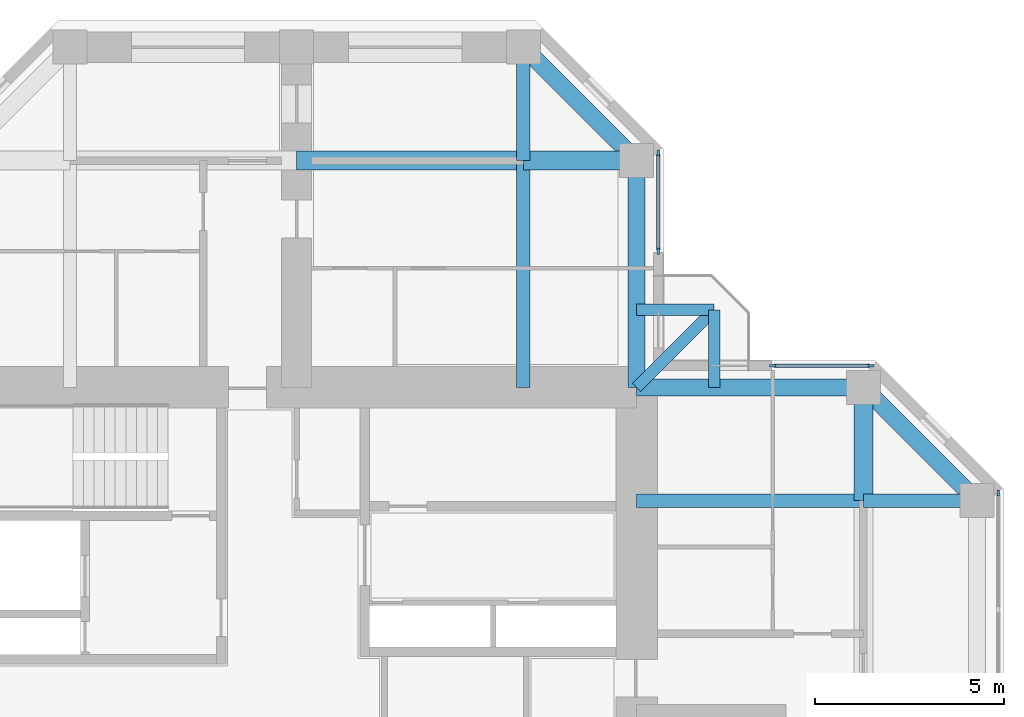
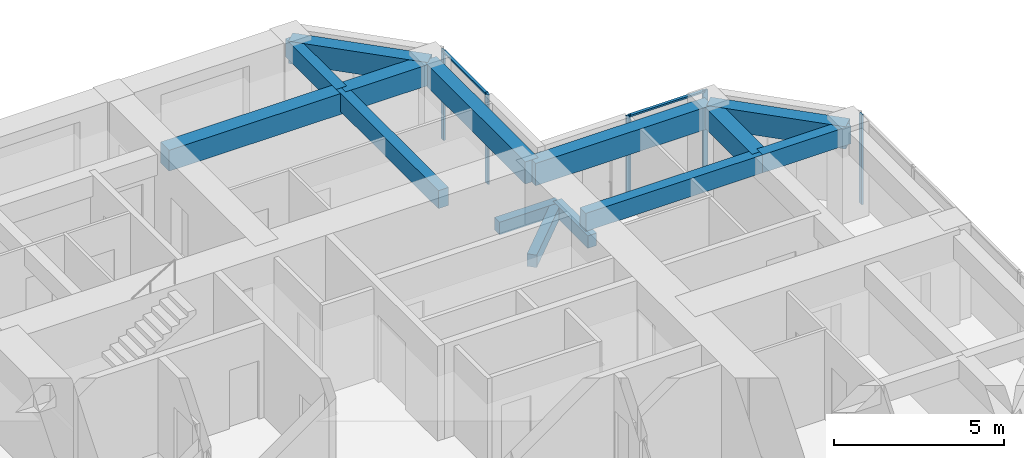
# One storey, part 6 of 14: 14 beams, 7 members, 3 elements without a shape of their own.
"""IFC4 building model written with IfcOpenShell, lengths in metres."""

from ifc_helpers import new_model, si_unit, direction, frame, origin, origin_2d, place, context, subcontext, project, spatial, rectangle, extrude, material, material_profile, profile_set, type_object, element, aggregate, save


model = new_model("IFC4")

# Units and contexts
model_context = context("Model", 3, precision=1e-05, world=origin(), true_north=direction((0.0, 1.0)))
body_context = subcontext(model_context, "Body", "Model", "MODEL_VIEW")
ifc_project = project(units=[si_unit("LENGTHUNIT", "METRE"), si_unit("AREAUNIT", "SQUARE_METRE"), si_unit("VOLUMEUNIT", "CUBIC_METRE"), si_unit("PLANEANGLEUNIT", "RADIAN"), si_unit("MASSUNIT", "GRAM", prefix="KILO")], contexts=[model_context])

# Site, building, storey
site_placement = place(None, origin())
site = spatial("IfcSite", under=ifc_project, at=site_placement, CompositionType="ELEMENT")
building_placement = place(site_placement, origin())
building = spatial("IfcBuilding", under=site, at=building_placement, Name="Torre Cruceta", CompositionType="ELEMENT")
storey_placement = place(building_placement, frame((0.0, 0.0, 186.5)))
storey = spatial("IfcBuildingStorey", under=building, at=storey_placement, Name="L46", CompositionType="ELEMENT", Elevation=186.5)

# Beams
ifc_material_1 = material(Name="Concrete G60 (fck 60 MPa)", Category="concrete")
ifc_material_profile_1 = material_profile(ifc_material_1, rectangle(XDim=0.300048828125, YDim=0.449951171875, at=origin_2d()), Name="RC 300X450")
ifc_profile_set_1 = profile_set([ifc_material_profile_1], Name="Concrete G60 (fck 60 MPa)")
beam_type_1 = type_object("IfcBeamType", Name="BALCONY CANTILEVER BEAM RC 300X450", PredefinedType="BEAM", material=ifc_profile_set_1)
beam_1_placement = place(storey_placement, frame((9.0, 9.0, -0.405029296875), z_axis=(0.707106781187, 0.707106781187, 0.0), x_axis=(-0.707106781187, 0.707106781187, 0.0)))
element("IfcBeam", 1, at=beam_1_placement, inside=storey, type_object=beam_type_1, Name="BB1 balcony beam L46 E", PredefinedType="BEAM", context=body_context, shape_type="SweptSolid", body=[
    extrude(rectangle(XDim=0.300048828125, YDim=0.449951171875, at=origin_2d()), origin(), (0.0, 0.0, 1.0), 2.89990234375),
])
for number, where, z_axis, x_axis, name in (
    (2, (11.050537109375, 9.0, -0.405029296875), (0.0, 1.0, 0.0), (-1.0, 0.0, 0.0), "BB1 balcony edge beam L46 E-X"),
    (3, (9.0, 11.050537109375, -0.405029296875), (1.0, 0.0, 0.0), (0.0, 1.0, 0.0), "BB1 balcony edge beam L46 E-Y"),
):
    element("IfcBeam", number, at=place(storey_placement, frame(where, z_axis=z_axis, x_axis=x_axis)), inside=storey, type_object=beam_type_1, Name=name, PredefinedType="BEAM", context=body_context, shape_type="SweptSolid", body=[
        extrude(rectangle(XDim=0.300048828125, YDim=0.449951171875, at=origin_2d()), origin(), (0.0, 0.0, 1.0), 2.050537109375),
    ])
ifc_material_2 = material(Name="Concrete G60 (fck 60 MPa)", Category="concrete")
ifc_material_profile_2 = material_profile(ifc_material_2, rectangle(XDim=0.35009765625, YDim=0.64990234375, at=origin_2d()), Name="RC 350X650")
ifc_profile_set_2 = profile_set([ifc_material_profile_2], Name="Concrete G60 (fck 60 MPa)")
beam_type_2 = type_object("IfcBeamType", Name="COLUMN LINE BEAM RC 350X650", PredefinedType="BEAM", material=ifc_profile_set_2)
beam_2_placement = place(storey_placement, frame((6.0, 9.0, 2.89501953125), z_axis=(0.0, 1.0, 0.0), x_axis=(-1.0, 0.0, 0.0)))
element("IfcBeam", 4, at=beam_2_placement, inside=storey, type_object=beam_type_2, Name="LB7 L46 N col- 1", PredefinedType="BEAM", context=body_context, shape_type="SweptSolid", body=[
    extrude(rectangle(XDim=0.35009765625, YDim=0.64990234375, at=origin_2d()), origin(), (0.0, 0.0, 1.0), 6.0),
])
beam_3_placement = place(storey_placement, frame((6.0, 15.0, 2.89501953125), z_axis=(0.0, 1.0, 0.0), x_axis=(-1.0, 0.0, 0.0)))
element("IfcBeam", 5, at=beam_3_placement, inside=storey, type_object=beam_type_2, Name="LB7 L46 N col- 2", PredefinedType="BEAM", context=body_context, shape_type="SweptSolid", body=[
    extrude(rectangle(XDim=0.35009765625, YDim=0.64990234375, at=origin_2d()), origin(), (0.0, 0.0, 1.0), 3.0),
])
beam_4_placement = place(storey_placement, frame((9.0, 6.0, 2.89501953125), z_axis=(1.0, 0.0, 0.0), x_axis=(0.0, 1.0, 0.0)))
element("IfcBeam", 6, at=beam_4_placement, inside=storey, type_object=beam_type_2, Name="LB7 L46 E col+ 1", PredefinedType="BEAM", context=body_context, shape_type="SweptSolid", body=[
    extrude(rectangle(XDim=0.35009765625, YDim=0.64990234375, at=origin_2d()), origin(), (0.0, 0.0, 1.0), 6.0),
])
beam_5_placement = place(storey_placement, frame((15.0, 6.0, 2.89501953125), z_axis=(1.0, 0.0, 0.0), x_axis=(0.0, 1.0, 0.0)))
element("IfcBeam", 7, at=beam_5_placement, inside=storey, type_object=beam_type_2, Name="LB7 L46 E col+ 2", PredefinedType="BEAM", context=body_context, shape_type="SweptSolid", body=[
    extrude(rectangle(XDim=0.35009765625, YDim=0.64990234375, at=origin_2d()), origin(), (0.0, 0.0, 1.0), 3.0),
])
ifc_material_3 = material(Name="Concrete G60 (fck 60 MPa)", Category="concrete")
ifc_material_profile_3 = material_profile(ifc_material_3, rectangle(XDim=0.5, YDim=0.75, at=origin_2d()), Name="RC 500X750")
ifc_profile_set_3 = profile_set([ifc_material_profile_3], Name="Concrete G60 (fck 60 MPa)")
beam_type_3 = type_object("IfcBeamType", Name="CROSS BEAM RC 500X750", PredefinedType="BEAM", material=ifc_profile_set_3)
beam_6_placement = place(storey_placement, frame((9.0, 15.0, 2.844970703125), z_axis=(-1.0, 0.0, 0.0), x_axis=(0.0, -1.0, 0.0)))
element("IfcBeam", 8, at=beam_6_placement, inside=storey, type_object=beam_type_3, Name="GB6 L46 N cross15 1", PredefinedType="BEAM", context=body_context, shape_type="SweptSolid", body=[
    extrude(rectangle(XDim=0.5, YDim=0.75, at=origin_2d()), origin(), (0.0, 0.0, 1.0), 3.0),
])
beam_7_placement = place(storey_placement, frame((6.0, 15.0, 2.844970703125), z_axis=(-1.0, 0.0, 0.0), x_axis=(0.0, -1.0, 0.0)))
element("IfcBeam", 9, at=beam_7_placement, inside=storey, type_object=beam_type_3, Name="GB6 L46 N cross15 2", PredefinedType="BEAM", context=body_context, shape_type="SweptSolid", body=[
    extrude(rectangle(XDim=0.5, YDim=0.75, at=origin_2d()), origin(), (0.0, 0.0, 1.0), 6.0),
])
beam_8_placement = place(storey_placement, frame((15.0, 6.0, 2.844970703125), z_axis=(0.0, 1.0, 0.0), x_axis=(-1.0, 0.0, 0.0)))
element("IfcBeam", 10, at=beam_8_placement, inside=storey, type_object=beam_type_3, Name="GB6 L46 E cross15 4", PredefinedType="BEAM", context=body_context, shape_type="SweptSolid", body=[
    extrude(rectangle(XDim=0.5, YDim=0.75, at=origin_2d()), origin(), (0.0, 0.0, 1.0), 3.0),
])

# Curtain wall, member
ifc_material_4 = material(Name="Aluminium unitised curtain wall", Category="aluminium")
curtain_wall_type = type_object("IfcCurtainWallType", Name="CURTAIN WALL CW-C CO-LIVING", PredefinedType="USERDEFINED", material=ifc_material_4)
curtain_wall_1_placement = place(storey_placement, origin())
curtain_wall_1 = element("IfcCurtainWall", 11, at=curtain_wall_1_placement, inside=storey, type_object=curtain_wall_type, Name="CW-C L46 E tip 02", ObjectType="UNITISED", PredefinedType="USERDEFINED")
ifc_material_5 = material(Name="Aluminium mullion", Category="aluminium")
ifc_material_profile_4 = material_profile(ifc_material_5, rectangle(XDim=0.06005859375, YDim=0.159912109375, at=origin_2d()), Name="AL 60X160")
ifc_profile_set_4 = profile_set([ifc_material_profile_4], Name="Aluminium mullion")
member_type_1 = type_object("IfcMemberType", Name="CW-C MULLION 60X160", PredefinedType="MULLION", material=ifc_profile_set_4)
member_1_placement = place(storey_placement, frame((18.570068359375, 6.2060546875, 0.0), z_axis=(0.0, 0.0, 1.0), x_axis=(-1.0, 0.0, 0.0)))
member_1 = element("IfcMember", 12, at=member_1_placement, type_object=member_type_1, Name="CW-C mullion 5", PredefinedType="MULLION", context=body_context, shape_type="SweptSolid", body=[
    extrude(rectangle(XDim=0.06005859375, YDim=0.159912109375, at=origin_2d()), origin(), (0.0, 0.0, 1.0), 3.219970703125),
])
aggregate(curtain_wall_1, [member_1])

# Curtain wall, members
curtain_wall_2_placement = place(storey_placement, origin())
curtain_wall_2 = element("IfcCurtainWall", 13, at=curtain_wall_2_placement, inside=storey, type_object=curtain_wall_type, Name="CW-C L46 E side 04", ObjectType="UNITISED", PredefinedType="USERDEFINED")
member_2_placement = place(storey_placement, frame((15.2060546875, 9.570068359375, 0.0), z_axis=(0.0, 0.0, 1.0), x_axis=(0.0, -1.0, 0.0)))
member_2 = element("IfcMember", 14, at=member_2_placement, type_object=member_type_1, Name="CW-C mullion 1", PredefinedType="MULLION", context=body_context, shape_type="SweptSolid", body=[
    extrude(rectangle(XDim=0.06005859375, YDim=0.159912109375, at=origin_2d()), origin(), (0.0, 0.0, 1.0), 3.219970703125),
])
member_3_placement = place(storey_placement, frame((12.60009765625, 9.570068359375, 0.0), z_axis=(0.0, 0.0, 1.0), x_axis=(0.0, -1.0, 0.0)))
member_3 = element("IfcMember", 15, at=member_3_placement, type_object=member_type_1, Name="CW-C mullion 2", PredefinedType="MULLION", context=body_context, shape_type="SweptSolid", body=[
    extrude(rectangle(XDim=0.06005859375, YDim=0.159912109375, at=origin_2d()), origin(), (0.0, 0.0, 1.0), 3.219970703125),
])

curtain_wall_3_placement = place(storey_placement, origin())
curtain_wall_3 = element("IfcCurtainWall", 16, at=curtain_wall_3_placement, inside=storey, type_object=curtain_wall_type, Name="CW-C L46 N side 05", ObjectType="UNITISED", PredefinedType="USERDEFINED")
member_4_placement = place(storey_placement, frame((9.570068359375, 12.60009765625, 0.0), z_axis=(0.0, 0.0, 1.0), x_axis=(-1.0, 0.0, 0.0)))
member_4 = element("IfcMember", 17, at=member_4_placement, type_object=member_type_1, Name="CW-C mullion 1", PredefinedType="MULLION", context=body_context, shape_type="SweptSolid", body=[
    extrude(rectangle(XDim=0.06005859375, YDim=0.159912109375, at=origin_2d()), origin(), (0.0, 0.0, 1.0), 3.219970703125),
])
member_5_placement = place(storey_placement, frame((9.570068359375, 15.2060546875, 0.0), z_axis=(0.0, 0.0, 1.0), x_axis=(-1.0, 0.0, 0.0)))
member_5 = element("IfcMember", 18, at=member_5_placement, type_object=member_type_1, Name="CW-C mullion 2", PredefinedType="MULLION", context=body_context, shape_type="SweptSolid", body=[
    extrude(rectangle(XDim=0.06005859375, YDim=0.159912109375, at=origin_2d()), origin(), (0.0, 0.0, 1.0), 3.219970703125),
])

# Member
ifc_material_6 = material(Name="Aluminium transom", Category="aluminium")
ifc_material_profile_5 = material_profile(ifc_material_6, rectangle(XDim=0.10009765625, YDim=0.06005859375, at=origin_2d()), Name="AL 100X60")
ifc_profile_set_5 = profile_set([ifc_material_profile_5], Name="Aluminium transom")
member_type_2 = type_object("IfcMemberType", Name="CW-C TRANSOM 60X100", PredefinedType="USERDEFINED", material=ifc_profile_set_5)
member_6_placement = place(storey_placement, frame((15.176025390625, 9.570068359375, 3.18994140625), z_axis=(-1.0, 0.0, 0.0), x_axis=(0.0, -1.0, 0.0)))
member_6 = element("IfcMember", 19, at=member_6_placement, type_object=member_type_2, Name="CW-C transom 1", ObjectType="TRANSOM", PredefinedType="USERDEFINED", context=body_context, shape_type="SweptSolid", body=[
    extrude(rectangle(XDim=0.10009765625, YDim=0.06005859375, at=origin_2d()), origin(), (0.0, 0.0, 1.0), 2.546142578125),
])

aggregate(curtain_wall_2, [member_2, member_3, member_6])

member_7_placement = place(storey_placement, frame((9.570068359375, 12.6298828125, 3.18994140625), z_axis=(0.0, 1.0, 0.0), x_axis=(-1.0, 0.0, 0.0)))
member_7 = element("IfcMember", 20, at=member_7_placement, type_object=member_type_2, Name="CW-C transom 1", ObjectType="TRANSOM", PredefinedType="USERDEFINED", context=body_context, shape_type="SweptSolid", body=[
    extrude(rectangle(XDim=0.10009765625, YDim=0.06005859375, at=origin_2d()), origin(), (0.0, 0.0, 1.0), 2.546142578125),
])

aggregate(curtain_wall_3, [member_4, member_5, member_7])

# Beams
ifc_material_7 = material(Name="Concrete G60 (fck 60 MPa)", Category="concrete")
ifc_material_profile_6 = material_profile(ifc_material_7, rectangle(XDim=0.449951171875, YDim=0.800048828125, at=origin_2d()), Name="RC 450X800")
ifc_profile_set_6 = profile_set([ifc_material_profile_6], Name="Concrete G60 (fck 60 MPa)")
beam_type_4 = type_object("IfcBeamType", Name="SPANDREL BEAM RC 450X800", PredefinedType="SPANDREL", material=ifc_profile_set_6)
beam_9_placement = place(storey_placement, frame((9.0, 9.0, 2.820068359375), z_axis=(0.0, 1.0, 0.0), x_axis=(-1.0, 0.0, 0.0)))
element("IfcBeam", 21, at=beam_9_placement, inside=storey, type_object=beam_type_4, Name="SB6 L46 N side- 1", PredefinedType="SPANDREL", context=body_context, shape_type="SweptSolid", body=[
    extrude(rectangle(XDim=0.449951171875, YDim=0.800048828125, at=origin_2d()), origin(), (0.0, 0.0, 1.0), 6.0),
])
beam_10_placement = place(storey_placement, frame((9.0, 15.0, 2.820068359375), z_axis=(-0.707106781187, 0.707106781187, 0.0), x_axis=(-0.707106781187, -0.707106781187, 0.0)))
element("IfcBeam", 22, at=beam_10_placement, inside=storey, type_object=beam_type_4, Name="SB6 L46 N side- 2", PredefinedType="SPANDREL", context=body_context, shape_type="SweptSolid", body=[
    extrude(rectangle(XDim=0.449951171875, YDim=0.800048828125, at=origin_2d()), origin(), (0.0, 0.0, 1.0), 4.24267578125),
])
beam_11_placement = place(storey_placement, frame((9.0, 9.0, 2.820068359375), z_axis=(1.0, 0.0, 0.0), x_axis=(0.0, 1.0, 0.0)))
element("IfcBeam", 23, at=beam_11_placement, inside=storey, type_object=beam_type_4, Name="SB6 L46 E side+ 1", PredefinedType="SPANDREL", context=body_context, shape_type="SweptSolid", body=[
    extrude(rectangle(XDim=0.449951171875, YDim=0.800048828125, at=origin_2d()), origin(), (0.0, 0.0, 1.0), 6.0),
])
beam_12_placement = place(storey_placement, frame((15.0, 9.0, 2.820068359375), z_axis=(0.707106781187, -0.707106781187, 0.0), x_axis=(0.707106781187, 0.707106781187, 0.0)))
element("IfcBeam", 24, at=beam_12_placement, inside=storey, type_object=beam_type_4, Name="SB6 L46 E side+ 2", PredefinedType="SPANDREL", context=body_context, shape_type="SweptSolid", body=[
    extrude(rectangle(XDim=0.449951171875, YDim=0.800048828125, at=origin_2d()), origin(), (0.0, 0.0, 1.0), 4.24267578125),
])

save(model, "model.ifc")
